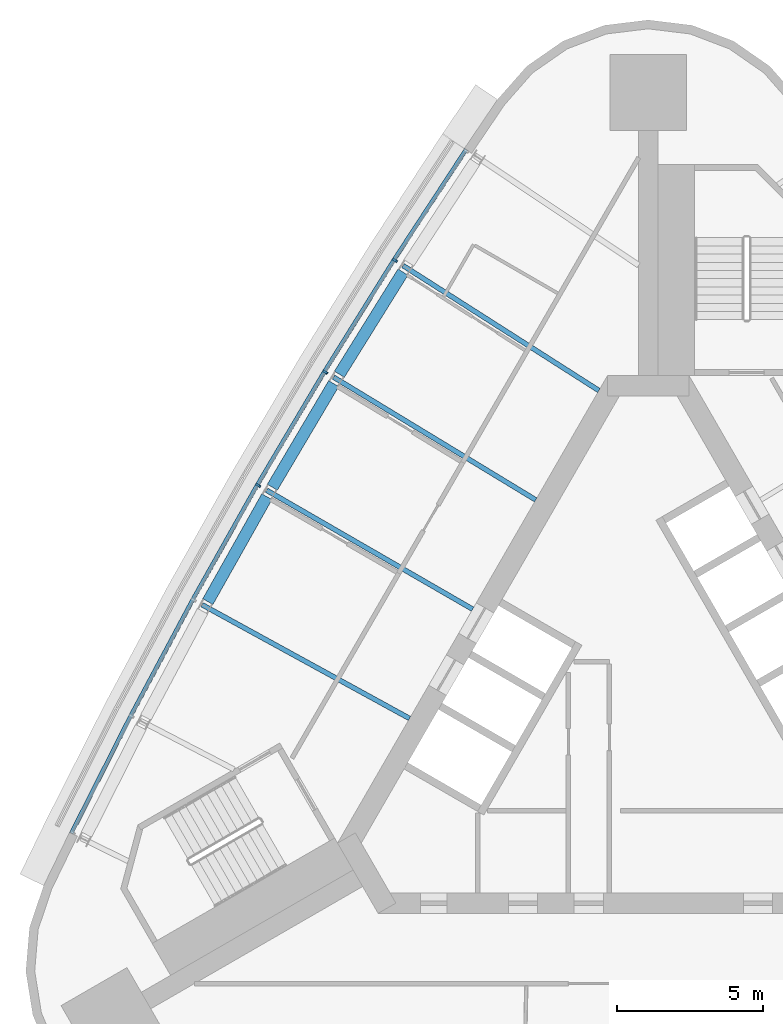
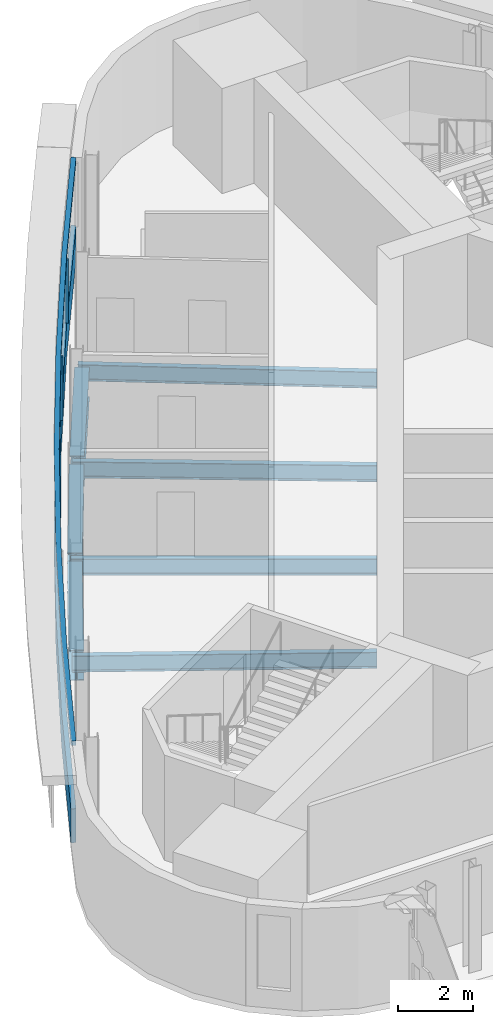
# One storey, part 6 of 14: 7 beams, 5 members, 1 element without a shape of its own.
"""IFC4 building model written with IfcOpenShell, lengths in metres."""

from ifc_helpers import new_model, si_unit, direction, frame, origin, origin_2d, place, context, subcontext, project, spatial, polyline, rectangle, i_section, outline, extrude, material, material_profile, profile_set, type_object, element, aggregate, save


model = new_model("IFC4")

# Units and contexts
model_context = context("Model", 3, precision=1e-05, world=origin(), true_north=direction((0.0, 1.0)))
body_context = subcontext(model_context, "Body", "Model", "MODEL_VIEW")
ifc_project = project(units=[si_unit("LENGTHUNIT", "METRE"), si_unit("AREAUNIT", "SQUARE_METRE"), si_unit("VOLUMEUNIT", "CUBIC_METRE"), si_unit("PLANEANGLEUNIT", "RADIAN"), si_unit("MASSUNIT", "GRAM", prefix="KILO")], contexts=[model_context])

# Site, building, storey
site_placement = place(None, origin())
site = spatial("IfcSite", under=ifc_project, at=site_placement, CompositionType="ELEMENT")
building_placement = place(site_placement, origin())
building = spatial("IfcBuilding", under=site, at=building_placement, Name="Noor Cloister Tower", CompositionType="ELEMENT")
storey_placement = place(building_placement, frame((0.0, 0.0, 214.800048828125)))
storey = spatial("IfcBuildingStorey", under=building, at=storey_placement, Name="L55", CompositionType="ELEMENT", Elevation=214.800048828125)

# Beams
ifc_material_1 = material(Name="Steel ASTM A992 Gr 50", Category="steel")
ifc_material_profile_1 = material_profile(ifc_material_1, i_section(OverallWidth=0.40087890625, OverallDepth=0.98291015625, WebThickness=0.0166015625, FlangeThickness=0.027099609375, FilletRadius=0.030029296875, at=origin_2d()), Name="W1000x296")
ifc_profile_set_1 = profile_set([ifc_material_profile_1], Name="Steel ASTM A992 Gr 50")
beam_type_1 = type_object("IfcBeamType", Name="Belt chord girder W1000x296", PredefinedType="BEAM", material=ifc_profile_set_1)
beam_1_placement = place(storey_placement, frame((-8.379150390625, 14.983154296875, -0.691650390625), z_axis=(-0.528440659826, -0.848970240375, 0.0), x_axis=(0.848970240375, -0.528440659826, 0.0)))
element("IfcBeam", 1, at=beam_1_placement, inside=storey, type_object=beam_type_1, Name="Spandrel beam NW 02 L55", PredefinedType="BEAM", context=body_context, shape_type="SweptSolid", body=[
    extrude(i_section(OverallWidth=0.40087890625, OverallDepth=0.98291015625, WebThickness=0.0166015625, FlangeThickness=0.027099609375, FilletRadius=0.030029296875, at=origin_2d()), origin(), (0.0, 0.0, 1.0), 4.114501953125),
])
for number, where, z_axis, x_axis, name in (
    (2, (-10.7470703125, 11.171142578125, -0.691650390625), (-0.509548653359, -0.860441845716, 0.0), (0.860441845716, -0.509548653359, 0.0), "Spandrel beam NW 03 L55"),
    (3, (-13.0302734375, 7.3076171875, -0.691650390625), (-0.490396452129, -0.871499466288, 0.0), (0.871499466288, -0.490396452129, 0.0), "Spandrel beam NW 04 L55"),
):
    element("IfcBeam", number, at=place(storey_placement, frame(where, z_axis=z_axis, x_axis=x_axis)), inside=storey, type_object=beam_type_1, Name=name, PredefinedType="BEAM", context=body_context, shape_type="SweptSolid", body=[
        extrude(i_section(OverallWidth=0.40087890625, OverallDepth=0.98291015625, WebThickness=0.0166015625, FlangeThickness=0.027099609375, FilletRadius=0.030029296875, at=origin_2d()), origin(), (0.0, 0.0, 1.0), 4.11474609375),
    ])

# Curtain wall, members
ifc_material_2 = material(Name="Aluminium 6063-T6 anodised", Category="aluminium")
curtain_wall_type = type_object("IfcCurtainWallType", Name="Ribbon curtain wall, upper tower CW5", PredefinedType="NOTDEFINED", material=ifc_material_2)
curtain_wall_placement = place(storey_placement, origin())
curtain_wall = element("IfcCurtainWall", 4, at=curtain_wall_placement, inside=storey, type_object=curtain_wall_type, Name="CW5 L55 NW run 1", PredefinedType="NOTDEFINED")
ifc_material_3 = material(Name="Aluminium 6063-T6 anodised", Category="aluminium")
member_type_1 = type_object("IfcMemberType", Name="Head transom CW5 150", PredefinedType="USERDEFINED", material=ifc_material_3)
member_1_placement = place(storey_placement, frame((0.0, 0.0, 3.14990234375)))
member_1 = element("IfcMember", 5, at=member_1_placement, type_object=member_type_1, Name="CW5 head transom", ObjectType="TRANSOM", PredefinedType="USERDEFINED", context=body_context, shape_type="SweptSolid", body=[
    extrude(outline(polyline([(-6.2822265625, 19.2041015625), (-8.744140625, 15.437255859375), (-11.122314453125, 11.6171875), (-13.415283203125, 7.745361328125), (-15.621826171875, 3.823486328125), (-17.7412109375, -0.14599609375), (-19.772216796875, -4.16162109375), (-19.647216796875, -4.224609375), (-17.616943359375, -0.210693359375), (-15.4990234375, 3.75634765625), (-13.2939453125, 7.67529296875), (-11.00244140625, 11.54443359375), (-8.626220703125, 15.362060546875), (-6.1650390625, 19.12744140625), (-6.2822265625, 19.2041015625)])), origin(), (0.0, 0.0, 1.0), 0.150146484375),
])
ifc_material_4 = material(Name="Aluminium 6063-T6 anodised", Category="aluminium")
ifc_material_profile_2 = material_profile(ifc_material_4, rectangle(XDim=0.179931640625, YDim=0.070068359375, at=origin_2d()), Name="180 x 70 mullion")
ifc_profile_set_2 = profile_set([ifc_material_profile_2], Name="Aluminium 6063-T6 anodised")
member_type_2 = type_object("IfcMemberType", Name="Mullion CW5 70 x 180", PredefinedType="MULLION", material=ifc_profile_set_2)
member_2_placement = place(storey_placement, frame((-8.659912109375, 15.383544921875, 1.099853515625), z_axis=(0.0, 0.0, 1.0), x_axis=(0.843050821041, -0.537833908509, 0.0)))
member_2 = element("IfcMember", 6, at=member_2_placement, type_object=member_type_2, Name="CW5 mullion 2", PredefinedType="MULLION", context=body_context, shape_type="SweptSolid", body=[
    extrude(rectangle(XDim=0.179931640625, YDim=0.070068359375, at=origin_2d()), origin(), (0.0, 0.0, 1.0), 2.050048828125),
])
member_3_placement = place(storey_placement, frame((-11.03662109375, 11.565185546875, 1.099853515625), z_axis=(0.0, 0.0, 1.0), x_axis=(0.854747474092, -0.519044078603, 0.0)))
member_3 = element("IfcMember", 7, at=member_3_placement, type_object=member_type_2, Name="CW5 mullion 3", PredefinedType="MULLION", context=body_context, shape_type="SweptSolid", body=[
    extrude(rectangle(XDim=0.179931640625, YDim=0.070068359375, at=origin_2d()), origin(), (0.0, 0.0, 1.0), 2.050048828125),
])
member_4_placement = place(storey_placement, frame((-13.32861328125, 7.6953125, 1.099853515625), z_axis=(0.0, 0.0, 1.0), x_axis=(0.866025403784, -0.5, 0.0)))
member_4 = element("IfcMember", 8, at=member_4_placement, type_object=member_type_2, Name="CW5 mullion 4", PredefinedType="MULLION", context=body_context, shape_type="SweptSolid", body=[
    extrude(rectangle(XDim=0.179931640625, YDim=0.070068359375, at=origin_2d()), origin(), (0.0, 0.0, 1.0), 2.050048828125),
])

# Beams
ifc_material_5 = material(Name="Steel ASTM A992 Gr 50", Category="steel")
ifc_material_profile_3 = material_profile(ifc_material_5, i_section(OverallWidth=0.166015625, OverallDepth=0.528076171875, WebThickness=0.009765625, FlangeThickness=0.013671875, FilletRadius=0.0126953125, at=origin_2d()), Name="W530x74")
ifc_profile_set_3 = profile_set([ifc_material_profile_3], Name="Steel ASTM A992 Gr 50")
beam_type_2 = type_object("IfcBeamType", Name="Radial beam W530x74", PredefinedType="BEAM", material=ifc_profile_set_3)
beam_2_placement = place(storey_placement, frame((-8.378173828125, 15.203857421875, -0.464111328125), z_axis=(0.843054264686, -0.537828510582, 0.0), x_axis=(0.537828510582, 0.843054264686, 0.0)))
element("IfcBeam", 9, at=beam_2_placement, inside=storey, type_object=beam_type_2, Name="Radial beam NW 02 L55", PredefinedType="BEAM", context=body_context, shape_type="SweptSolid", body=[
    extrude(i_section(OverallWidth=0.166015625, OverallDepth=0.528076171875, WebThickness=0.009765625, FlangeThickness=0.013671875, FilletRadius=0.0126953125, at=origin_2d()), origin(), (0.0, 0.0, 1.0), 7.93701171875),
])
beam_3_placement = place(storey_placement, frame((-10.751220703125, 11.391845703125, -0.464111328125), z_axis=(0.854748260186, -0.519042784084, 0.0), x_axis=(0.519042784084, 0.854748260186, 0.0)))
element("IfcBeam", 10, at=beam_3_placement, inside=storey, type_object=beam_type_2, Name="Radial beam NW 03 L55", PredefinedType="BEAM", context=body_context, shape_type="SweptSolid", body=[
    extrude(i_section(OverallWidth=0.166015625, OverallDepth=0.528076171875, WebThickness=0.009765625, FlangeThickness=0.013671875, FilletRadius=0.0126953125, at=origin_2d()), origin(), (0.0, 0.0, 1.0), 8.080322265625),
])
beam_4_placement = place(storey_placement, frame((-13.039306640625, 7.5283203125, -0.464111328125), z_axis=(0.866022026288, -0.50000584995, 0.0), x_axis=(0.50000584995, 0.866022026288, 0.0)))
element("IfcBeam", 11, at=beam_4_placement, inside=storey, type_object=beam_type_2, Name="Radial beam NW 04 L55", PredefinedType="BEAM", context=body_context, shape_type="SweptSolid", body=[
    extrude(i_section(OverallWidth=0.166015625, OverallDepth=0.528076171875, WebThickness=0.009765625, FlangeThickness=0.013671875, FilletRadius=0.0126953125, at=origin_2d()), origin(), (0.0, 0.0, 1.0), 8.12841796875),
])
beam_5_placement = place(storey_placement, frame((-15.2412109375, 3.614990234375, -0.464111328125), z_axis=(0.876874036138, -0.480720214623, 0.0), x_axis=(0.480720214623, 0.876874036138, 0.0)))
element("IfcBeam", 12, at=beam_5_placement, inside=storey, type_object=beam_type_2, Name="Radial beam NW 05 L55", PredefinedType="BEAM", context=body_context, shape_type="SweptSolid", body=[
    extrude(i_section(OverallWidth=0.166015625, OverallDepth=0.528076171875, WebThickness=0.009765625, FlangeThickness=0.013671875, FilletRadius=0.0126953125, at=origin_2d()), origin(), (0.0, 0.0, 1.0), 8.08056640625),
])

# Member
ifc_material_6 = material(Name="Aluminium 6063-T6 anodised", Category="aluminium")
member_type_3 = type_object("IfcMemberType", Name="Sill transom CW5 1100", PredefinedType="USERDEFINED", material=ifc_material_6)
member_5_placement = place(storey_placement, origin())
member_5 = element("IfcMember", 13, at=member_5_placement, type_object=member_type_3, Name="CW5 sill transom", ObjectType="TRANSOM", PredefinedType="USERDEFINED", context=body_context, shape_type="SweptSolid", body=[
    extrude(outline(polyline([(-6.2822265625, 19.2041015625), (-8.744140625, 15.437255859375), (-11.122314453125, 11.6171875), (-13.415283203125, 7.745361328125), (-15.621826171875, 3.823486328125), (-17.7412109375, -0.14599609375), (-19.772216796875, -4.16162109375), (-19.647216796875, -4.224609375), (-17.616943359375, -0.210693359375), (-15.4990234375, 3.75634765625), (-13.2939453125, 7.67529296875), (-11.00244140625, 11.54443359375), (-8.626220703125, 15.362060546875), (-6.1650390625, 19.12744140625), (-6.2822265625, 19.2041015625)])), origin(), (0.0, 0.0, 1.0), 1.099853515625),
])

aggregate(curtain_wall, [member_2, member_3, member_4, member_5, member_1])

save(model, "model.ifc")
